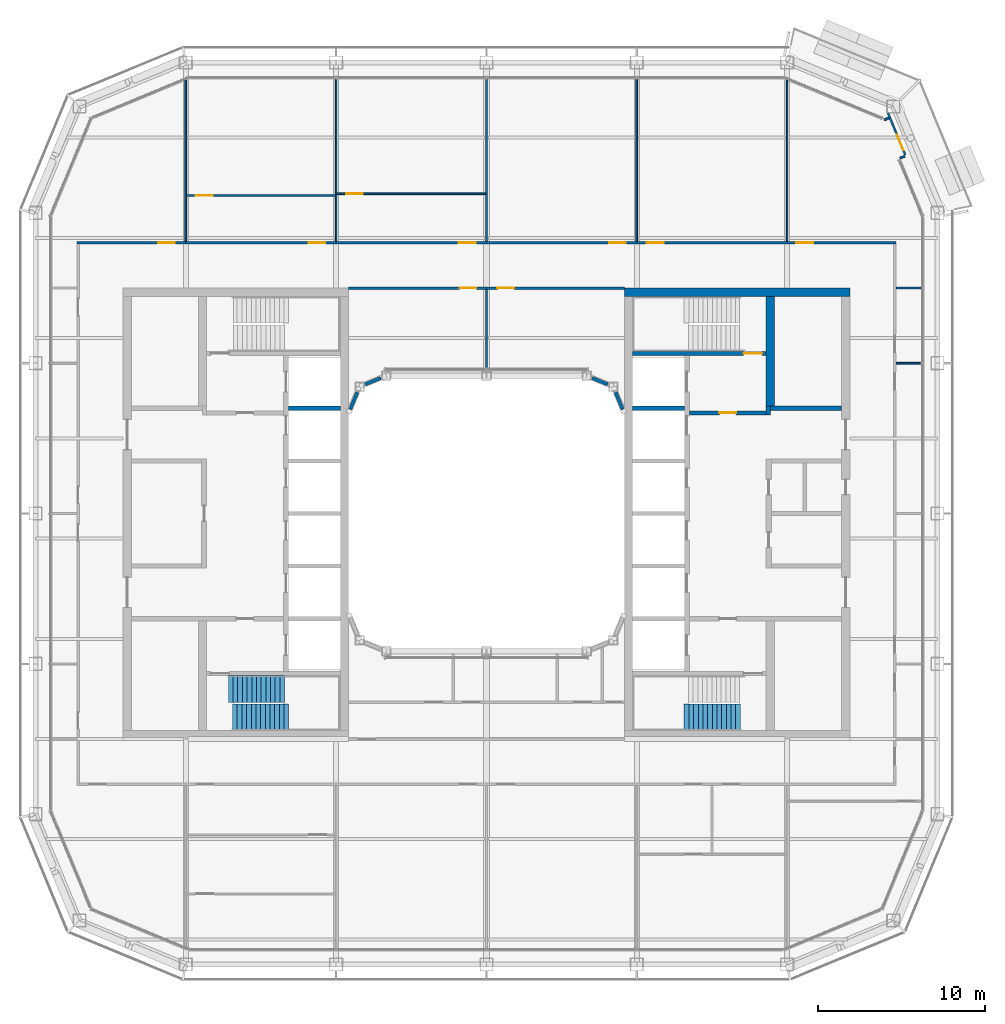
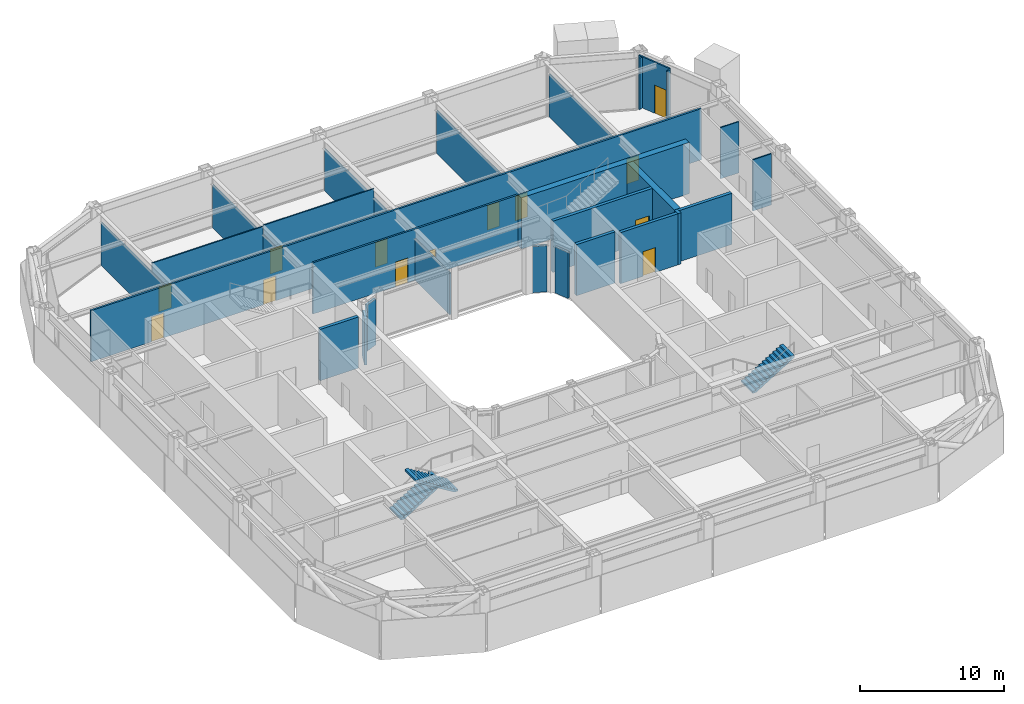
# One storey, part 15 of 23: 27 walls, 13 doors, 3 stair flights, 13 openings, 2 elements without a shape of their own.
"""IFC4 building model written with IfcOpenShell, lengths in metres."""

import ifcopenshell
import ifcopenshell.guid

model = None  # the IFC model being written
_history = None  # IfcOwnerHistory: only IFC2X3 demands one
_inside = {}  # id of a spatial element -> (the spatial element, [elements in it])
_under = {}  # id of a project, library or spatial element -> (it, [spatial elements below it])
_declared = {}  # id of a project -> (the project, [libraries it declares])
_typed = {}  # id of a type object -> (the type object, [elements of that type])
_made_of = {}  # id of a material, layer set ... -> (it, [elements and type objects made of it])


def new_model(schema):
    """Start an empty IFC model of exactly this schema.

    Asked for "IFC4X3", IfcOpenShell would pick the latest addendum, in which some entities
    have other attributes; the version numbers below select the first issue.
    IFC2X3 requires an IfcOwnerHistory on every rooted entity: one is made here for all.
    """
    global model, _history
    if schema == "IFC4X3":
        model = ifcopenshell.file(schema_version=(4, 3, 0, 0))
    else:
        model = ifcopenshell.file(schema=schema)
    _inside.clear()
    _under.clear()
    _declared.clear()
    _typed.clear()
    _made_of.clear()
    _history = None
    if model.schema == "IFC2X3":
        org = make("IfcOrganization", Name="unknown")
        user = make(
            "IfcPersonAndOrganization",
            ThePerson=make("IfcPerson", FamilyName="unknown"),
            TheOrganization=org,
        )
        app = make(
            "IfcApplication",
            ApplicationDeveloper=org,
            Version="unknown",
            ApplicationFullName="unknown",
            ApplicationIdentifier="unknown",
        )
        _history = make(
            "IfcOwnerHistory",
            OwningUser=user,
            OwningApplication=app,
            ChangeAction="ADDED",
            CreationDate=0,
        )
    return model


def make(cls, **values):
    """One entity of the class cls with the attributes given. An attribute that is None is left unset."""
    return model.create_entity(
        cls, **{name: value for name, value in values.items() if value is not None}
    )


def rooted(cls, **values):
    """An entity with a GlobalId (a new one), such as an element, a storey or a relation."""
    return make(cls, GlobalId=ifcopenshell.guid.new(), OwnerHistory=_history, **values)


def si_unit(unit_type, name, prefix=None):
    """IfcSIUnit, for example si_unit("LENGTHUNIT", "METRE", prefix="MILLI")."""
    return make("IfcSIUnit", UnitType=unit_type, Prefix=prefix, Name=name)


def assignment(units):
    """IfcUnitAssignment: the units of a project."""
    return None if units is None else make("IfcUnitAssignment", Units=units)


def point(xyz):
    """IfcCartesianPoint."""
    return None if xyz is None else make("IfcCartesianPoint", Coordinates=xyz)


def direction(xyz):
    """IfcDirection."""
    return None if xyz is None else make("IfcDirection", DirectionRatios=xyz)


def frame(location, z_axis=None, x_axis=None):
    """IfcAxis2Placement3D, a coordinate frame: its origin and axes. An axis left out is left unset."""
    return make(
        "IfcAxis2Placement3D",
        Location=point(location),
        Axis=direction(z_axis),
        RefDirection=direction(x_axis),
    )


def frame_2d(location, x_axis=None):
    """IfcAxis2Placement2D, a coordinate frame in the plane: its origin and x axis."""
    return make(
        "IfcAxis2Placement2D", Location=point(location), RefDirection=direction(x_axis)
    )


def origin():
    """The frame at (0, 0, 0) with its axes left unset."""
    return frame((0.0, 0.0, 0.0))


def place(relative_to, where):
    """IfcLocalPlacement: puts the frame where relative to a parent placement (None: the world)."""
    return make(
        "IfcLocalPlacement", PlacementRelTo=relative_to, RelativePlacement=where
    )


def context(
    kind, dimensions, precision=None, world=None, true_north=None, identifier=None
):
    """IfcGeometricRepresentationContext, for example the 3D "Model" context."""
    return make(
        "IfcGeometricRepresentationContext",
        ContextIdentifier=identifier,
        ContextType=kind,
        CoordinateSpaceDimension=dimensions,
        Precision=precision,
        WorldCoordinateSystem=world,
        TrueNorth=true_north,
    )


def subcontext(parent, identifier, kind, view, scale=None):
    """IfcGeometricRepresentationSubContext, for example "Body" below "Model"."""
    return make(
        "IfcGeometricRepresentationSubContext",
        ContextIdentifier=identifier,
        ContextType=kind,
        ParentContext=parent,
        TargetScale=scale,
        TargetView=view,
    )


def project(units=None, contexts=None):
    """IfcProject with its units and contexts."""
    return rooted(
        "IfcProject",
        Name="project",
        RepresentationContexts=contexts,
        UnitsInContext=assignment(units),
    )


def spatial(cls, under=None, at=None, **own):
    """A site, building, storey or space (cls), placed at a placement, below another one or the project."""
    s = rooted(cls, ObjectPlacement=at, **own)
    if under is not None:
        _under.setdefault(under.id(), (under, []))[1].append(s)
    return s


def polyline(points):
    """IfcPolyline through the points."""
    return make("IfcPolyline", Points=[point(p) for p in points])


def profile(cls, at=None, kind="AREA", **sizes):
    """A parametric profile (cls). Its sizes go by their IFC names, for example OverallWidth=200.0."""
    return make(cls, ProfileType=kind, Position=at, **sizes)


def rectangle(**sizes):
    """IfcRectangleProfileDef."""
    return profile("IfcRectangleProfileDef", **sizes)


def outline(outer, holes=None, kind="AREA"):
    """IfcArbitraryClosedProfileDef: a profile drawn as a closed curve; with holes, ...WithVoids."""
    if holes is None:
        return make("IfcArbitraryClosedProfileDef", ProfileType=kind, OuterCurve=outer)
    return make(
        "IfcArbitraryProfileDefWithVoids",
        ProfileType=kind,
        OuterCurve=outer,
        InnerCurves=holes,
    )


def extrude(swept, where, along, depth):
    """IfcExtrudedAreaSolid: the profile swept, set in the frame where, extruded along a direction by depth."""
    return make(
        "IfcExtrudedAreaSolid",
        SweptArea=swept,
        Position=where,
        ExtrudedDirection=direction(along),
        Depth=depth,
    )


def shape(context_of_items, identifier, shape_type, items):
    """IfcShapeRepresentation: the items that make up one representation, for example the "Body"."""
    return make(
        "IfcShapeRepresentation",
        ContextOfItems=context_of_items,
        RepresentationIdentifier=identifier,
        RepresentationType=shape_type,
        Items=items,
    )


def material(Name=None, Category=None):
    """IfcMaterial."""
    return make("IfcMaterial", Name=Name, Category=Category)


def layer(
    of_material, thickness, ventilated=None, Name=None, Category=None, Priority=None
):
    """IfcMaterialLayer: one layer of a wall or slab, of a material (None: an air gap)."""
    return make(
        "IfcMaterialLayer",
        Material=of_material,
        LayerThickness=thickness,
        IsVentilated=ventilated,
        Name=Name,
        Category=Category,
        Priority=Priority,
    )


def layer_set(layers, Name=None):
    """IfcMaterialLayerSet."""
    return make("IfcMaterialLayerSet", MaterialLayers=layers, LayerSetName=Name)


def made_of(thing, what):
    """Note that an element or type object is made of a material, layer set ...; save() writes the relation."""
    if what is not None:
        _made_of.setdefault(what.id(), (what, []))[1].append(thing)
    return thing


def type_object(cls, material=None, **own):
    """A type object (cls), such as IfcWallType, which elements share."""
    return made_of(rooted(cls, **own), material)


def element(
    cls,
    number,
    at=None,
    inside=None,
    cuts=None,
    type_object=None,
    material=None,
    context=None,
    identifier="Body",
    shape_type=None,
    held_by="IfcProductDefinitionShape",
    body=None,
    shapes=None,
    **own,
):
    """One element of the class cls, such as IfcWall. Its Tag is "e" and its number.

    at: its placement. inside: the storey or other place that contains it. cuts: it is an
    opening in that element (IfcRelVoidsElement). A single representation is given by context,
    identifier, shape_type and body (its items); several are given by shapes. held_by: the class
    of the entity that holds the representations. save() writes the other relations.
    """
    e = rooted(cls, Tag="e%d" % number, ObjectPlacement=at, **own)
    if body is not None:
        shapes = [shape(context, identifier, shape_type, body)]
    if shapes is not None:
        e.Representation = make(held_by, Representations=shapes)
    if inside is not None:
        _inside.setdefault(inside.id(), (inside, []))[1].append(e)
    if cuts is not None:
        rooted(
            "IfcRelVoidsElement", RelatingBuildingElement=cuts, RelatedOpeningElement=e
        )
    if type_object is not None:
        _typed.setdefault(type_object.id(), (type_object, []))[1].append(e)
    return made_of(e, material)


def fill(opening, filler):
    """IfcRelFillsElement: the door or window that sits in an opening."""
    return rooted(
        "IfcRelFillsElement",
        RelatingOpeningElement=opening,
        RelatedBuildingElement=filler,
    )


def aggregate(whole, parts):
    """IfcRelAggregates: a whole, such as a stair, and the parts it consists of."""
    return rooted("IfcRelAggregates", RelatingObject=whole, RelatedObjects=parts)


def save(model, path):
    """Write the relations noted so far, then the file.

    IfcRelAggregates (storeys below a building ...), IfcRelContainedInSpatialStructure (elements
    in a storey), IfcRelDefinesByType, IfcRelAssociatesMaterial and IfcRelDeclares: one each for
    every whole, place, type object, material and project.
    """
    for whole, parts in _under.values():
        aggregate(whole, parts)
    for where, things in _inside.values():
        rooted(
            "IfcRelContainedInSpatialStructure",
            RelatedElements=things,
            RelatingStructure=where,
        )
    for kind, things in _typed.values():
        rooted("IfcRelDefinesByType", RelatedObjects=things, RelatingType=kind)
    for what, things in _made_of.values():
        rooted("IfcRelAssociatesMaterial", RelatedObjects=things, RelatingMaterial=what)
    for by, libraries in _declared.values():
        rooted("IfcRelDeclares", RelatingContext=by, RelatedDefinitions=libraries)
    model.write(path)


model = new_model("IFC4")

# Units and contexts
model_context = context("Model", 3, precision=1e-05, world=origin(), true_north=direction((0.0, 1.0)))
body_context = subcontext(model_context, "Body", "Model", "MODEL_VIEW")
ifc_project = project(units=[si_unit("LENGTHUNIT", "METRE"), si_unit("AREAUNIT", "SQUARE_METRE"), si_unit("VOLUMEUNIT", "CUBIC_METRE"), si_unit("PLANEANGLEUNIT", "RADIAN"), si_unit("MASSUNIT", "GRAM", prefix="KILO")], contexts=[model_context])

# Site, building, storey
site_placement = place(None, origin())
site = spatial("IfcSite", under=ifc_project, at=site_placement, CompositionType="ELEMENT")
building_placement = place(site_placement, origin())
building = spatial("IfcBuilding", under=site, at=building_placement, Name="Siwar Civic Tower", CompositionType="ELEMENT")
storey_placement = place(building_placement, frame((0.0, 0.0, 260.199951171875)))
storey = spatial("IfcBuildingStorey", under=building, at=storey_placement, Name="L56", CompositionType="ELEMENT", Elevation=260.199951171875)

# Wall
ifc_material_1 = material(Name="Concrete C60/75", Category="concrete")
ifc_layer_1 = layer(ifc_material_1, 0.25)
ifc_layer_set_1 = layer_set([ifc_layer_1], Name="Concrete C60/75")
wall_type_1 = type_object("IfcWallType", Name="CORE-WALL-RC250", PredefinedType="SHEAR", material=ifc_layer_set_1)
wall_1_placement = place(storey_placement, frame((-8.75, 6.300048828125, 0.0), z_axis=(0.0, 0.0, 1.0), x_axis=(-1.0, 0.0, 0.0)))
element("IfcWall", 1, at=wall_1_placement, inside=storey, type_object=wall_type_1, Name="Core wall W", PredefinedType="SHEAR", context=body_context, shape_type="SweptSolid", body=[
    extrude(rectangle(XDim=3.10009765625, YDim=0.25, at=frame_2d((1.550048828125, 0.0))), origin(), (0.0, 0.0, 1.0), 4.35009765625),
])

# Wall, opening, door
wall_2_placement = place(storey_placement, frame((12.14990234375, 6.02490234375, 0.0), z_axis=(0.0, 0.0, 1.0), x_axis=(1.0, 0.0, 0.0)))
wall_2 = element("IfcWall", 2, at=wall_2_placement, inside=storey, type_object=wall_type_1, Name="Core wall E", PredefinedType="SHEAR", context=body_context, shape_type="SweptSolid", body=[
    extrude(rectangle(XDim=4.60009765625, YDim=0.25, at=frame_2d((2.300048828125, 0.0))), origin(), (0.0, 0.0, 1.0), 4.35009765625),
])
opening_1_placement = place(wall_2_placement, frame((1.800048828125, 0.0, 0.0)))
opening_1 = element("IfcOpeningElement", 3, at=opening_1_placement, cuts=wall_2, Name="Opening L56-CE01", PredefinedType="OPENING", context=body_context, shape_type="SweptSolid", body=[
    extrude(rectangle(XDim=1.0, YDim=2.10009765625, at=frame_2d((0.5, 1.050048828125))), frame((0.0, 0.135009765625, 0.0), z_axis=(0.0, -1.0, 0.0), x_axis=(1.0, 0.0, 0.0)), (0.0, 0.0, 1.0), 0.27001953125),
])
ifc_material_2 = material(Name="Steel door leaf", Category="steel")
door_type_1 = type_object("IfcDoorType", Name="CORE-DOOR-FD30S", OperationType="SINGLE_SWING_LEFT", PredefinedType="DOOR", material=ifc_material_2)
door_1_placement = place(opening_1_placement, origin())
door_1 = element("IfcDoor", 4, at=door_1_placement, inside=storey, type_object=door_type_1, Name="Firefighting lobby door L56-CE01", OperationType="SINGLE_SWING_RIGHT", OverallHeight=2.10009765625, OverallWidth=1.0, PredefinedType="DOOR", context=body_context, shape_type="SweptSolid", body=[
    extrude(rectangle(XDim=1.0, YDim=2.10009765625, at=frame_2d((0.5, 1.050048828125))), frame((0.0, 0.02490234375, 0.0), z_axis=(0.0, -1.0, 0.0), x_axis=(1.0, 0.0, 0.0)), (0.0, 0.0, 1.0), 0.050048828125),
])
fill(opening_1, door_1)

# Walls
wall_3_placement = place(storey_placement, frame((16.875, 5.89990234375, 0.0), z_axis=(0.0, 0.0, 1.0), x_axis=(0.0, 1.0, 0.0)))
element("IfcWall", 5, at=wall_3_placement, inside=storey, type_object=wall_type_1, Name="Core wall E", PredefinedType="SHEAR", context=body_context, shape_type="SweptSolid", body=[
    extrude(rectangle(XDim=0.525146484375, YDim=0.25, at=frame_2d((0.2626953125, 0.0))), origin(), (0.0, 0.0, 1.0), 4.35009765625),
])
wall_4_placement = place(storey_placement, frame((17.0, 6.300048828125, 0.0), z_axis=(0.0, 0.0, 1.0), x_axis=(1.0, 0.0, 0.0)))
element("IfcWall", 6, at=wall_4_placement, inside=storey, type_object=wall_type_1, Name="Core wall E", PredefinedType="SHEAR", context=body_context, shape_type="SweptSolid", body=[
    extrude(rectangle(XDim=4.25, YDim=0.25, at=frame_2d((2.125, 0.0))), origin(), (0.0, 0.0, 1.0), 4.35009765625),
])
wall_5_placement = place(storey_placement, frame((8.75, 6.300048828125, 0.0), z_axis=(0.0, 0.0, 1.0), x_axis=(1.0, 0.0, 0.0)))
element("IfcWall", 7, at=wall_5_placement, inside=storey, type_object=wall_type_1, Name="Core wall E", PredefinedType="SHEAR", context=body_context, shape_type="SweptSolid", body=[
    extrude(rectangle(XDim=3.10009765625, YDim=0.25, at=frame_2d((1.550048828125, 0.0))), origin(), (0.0, 0.0, 1.0), 4.35009765625),
])

# Wall, opening, door
wall_6_placement = place(storey_placement, frame((8.75, 9.574951171875, 0.0), z_axis=(0.0, 0.0, 1.0), x_axis=(1.0, 0.0, 0.0)))
wall_6 = element("IfcWall", 8, at=wall_6_placement, inside=storey, type_object=wall_type_1, Name="Core wall E", PredefinedType="SHEAR", context=body_context, shape_type="SweptSolid", body=[
    extrude(rectangle(XDim=8.0, YDim=0.25, at=frame_2d((4.0, 0.0))), origin(), (0.0, 0.0, 1.0), 4.35009765625),
])
opening_2_placement = place(wall_6_placement, frame((6.64990234375, 0.0, 0.0)))
opening_2 = element("IfcOpeningElement", 9, at=opening_2_placement, cuts=wall_6, Name="Opening L56-CE03", PredefinedType="OPENING", context=body_context, shape_type="SweptSolid", body=[
    extrude(rectangle(XDim=1.10009765625, YDim=2.10009765625, at=frame_2d((0.550048828125, 1.050048828125))), frame((0.0, 0.135009765625, 0.0), z_axis=(0.0, -1.0, 0.0), x_axis=(1.0, 0.0, 0.0)), (0.0, 0.0, 1.0), 0.27001953125),
])
ifc_material_3 = material(Name="Steel door leaf", Category="steel")
door_type_2 = type_object("IfcDoorType", Name="CORE-DOOR-FD60S", OperationType="SINGLE_SWING_LEFT", PredefinedType="DOOR", material=ifc_material_3)
door_2_placement = place(opening_2_placement, origin())
door_2 = element("IfcDoor", 10, at=door_2_placement, inside=storey, type_object=door_type_2, Name="Stair door L56-CE03", OperationType="SINGLE_SWING_LEFT", OverallHeight=2.10009765625, OverallWidth=1.10009765625, PredefinedType="DOOR", context=body_context, shape_type="SweptSolid", body=[
    extrude(rectangle(XDim=1.10009765625, YDim=2.10009765625, at=frame_2d((0.550048828125, 1.050048828125))), frame((0.0, 0.02490234375, 0.0), z_axis=(0.0, -1.0, 0.0), x_axis=(1.0, 0.0, 0.0)), (0.0, 0.0, 1.0), 0.050048828125),
])
fill(opening_2, door_2)

# Walls
ifc_material_4 = material(Name="Concrete C60/75", Category="concrete")
ifc_layer_2 = layer(ifc_material_4, 0.5)
ifc_layer_set_2 = layer_set([ifc_layer_2], Name="Concrete C60/75")
wall_type_2 = type_object("IfcWallType", Name="CORE-WALL-RC500", PredefinedType="SHEAR", material=ifc_layer_set_2)
wall_7_placement = place(storey_placement, frame((17.0, 6.425048828125, 0.0), z_axis=(0.0, 0.0, 1.0), x_axis=(0.0, 1.0, 0.0)))
element("IfcWall", 11, at=wall_7_placement, inside=storey, type_object=wall_type_2, Name="Core wall E", PredefinedType="SHEAR", context=body_context, shape_type="SweptSolid", body=[
    extrude(rectangle(XDim=6.574951171875, YDim=0.5, at=frame_2d((3.28759765625, 0.0))), origin(), (0.0, 0.0, 1.0), 4.35009765625),
])
wall_8_placement = place(storey_placement, frame((8.25, 13.25, 0.0), z_axis=(0.0, 0.0, 1.0), x_axis=(1.0, 0.0, 0.0)))
element("IfcWall", 12, at=wall_8_placement, inside=storey, type_object=wall_type_2, Name="Core wall E", PredefinedType="SHEAR", context=body_context, shape_type="SweptSolid", body=[
    extrude(rectangle(XDim=13.5, YDim=0.5, at=frame_2d((6.75, 0.0))), origin(), (0.0, 0.0, 1.0), 4.35009765625),
])

# Wall, openings, doors
ifc_material_5 = material(Name="Gypsum board on steel studs", Category="steel")
ifc_layer_3 = layer(ifc_material_5, 0.14990234375)
ifc_layer_set_3 = layer_set([ifc_layer_3], Name="Gypsum board on steel studs")
wall_type_3 = type_object("IfcWallType", Name="CORRIDOR PARTITION 150 EI 30", PredefinedType="PARTITIONING", material=ifc_layer_set_3)
wall_9_placement = place(storey_placement, frame((-8.25, 13.5, 0.0), z_axis=(0.0, 0.0, 1.0), x_axis=(1.0, 0.0, 0.0)))
wall_9 = element("IfcWall", 13, at=wall_9_placement, inside=storey, type_object=wall_type_3, Name="L56/wall/P19", PredefinedType="PARTITIONING", context=body_context, shape_type="SweptSolid", body=[
    extrude(rectangle(XDim=16.5, YDim=0.14990234375, at=frame_2d((8.25, 0.0))), origin(), (0.0, 0.0, 1.0), 4.35009765625),
])
opening_3_placement = place(wall_9_placement, frame((6.64990234375, 0.0, 0.0)))
opening_3 = element("IfcOpeningElement", 14, at=opening_3_placement, cuts=wall_9, Name="Opening D1", PredefinedType="OPENING", context=body_context, shape_type="SweptSolid", body=[
    extrude(rectangle(XDim=1.0, YDim=2.10009765625, at=frame_2d((0.5, 1.050048828125))), frame((0.0, 0.0849609375, 0.0), z_axis=(0.0, -1.0, 0.0), x_axis=(1.0, 0.0, 0.0)), (0.0, 0.0, 1.0), 0.169921875),
])
opening_4_placement = place(wall_9_placement, frame((8.89990234375, 0.0, 0.0)))
opening_4 = element("IfcOpeningElement", 15, at=opening_4_placement, cuts=wall_9, Name="Opening D1", PredefinedType="OPENING", context=body_context, shape_type="SweptSolid", body=[
    extrude(rectangle(XDim=1.0, YDim=2.10009765625, at=frame_2d((0.5, 1.050048828125))), frame((0.0, 0.0849609375, 0.0), z_axis=(0.0, -1.0, 0.0), x_axis=(1.0, 0.0, 0.0)), (0.0, 0.0, 1.0), 0.169921875),
])
ifc_material_6 = material(Name="Timber, painted", Category="wood")
door_type_3 = type_object("IfcDoorType", Name="DOOR 1000 X 2100 FD30", OperationType="SINGLE_SWING_LEFT", PredefinedType="DOOR", material=ifc_material_6)
door_3_placement = place(opening_3_placement, origin())
door_3 = element("IfcDoor", 16, at=door_3_placement, inside=storey, type_object=door_type_3, Name="L56-D28", OperationType="SINGLE_SWING_RIGHT", OverallHeight=2.10009765625, OverallWidth=1.0, PredefinedType="DOOR", context=body_context, shape_type="SweptSolid", body=[
    extrude(rectangle(XDim=1.0, YDim=2.10009765625, at=frame_2d((0.5, 1.050048828125))), frame((0.0, 0.02490234375, 0.0), z_axis=(0.0, -1.0, 0.0), x_axis=(1.0, 0.0, 0.0)), (0.0, 0.0, 1.0), 0.050048828125),
])
fill(opening_3, door_3)
door_4_placement = place(opening_4_placement, origin())
door_4 = element("IfcDoor", 17, at=door_4_placement, inside=storey, type_object=door_type_3, Name="L56-D29", OperationType="SINGLE_SWING_LEFT", OverallHeight=2.10009765625, OverallWidth=1.0, PredefinedType="DOOR", context=body_context, shape_type="SweptSolid", body=[
    extrude(rectangle(XDim=1.0, YDim=2.10009765625, at=frame_2d((0.5, 1.050048828125))), frame((0.0, 0.02490234375, 0.0), z_axis=(0.0, -1.0, 0.0), x_axis=(1.0, 0.0, 0.0)), (0.0, 0.0, 1.0), 0.050048828125),
])
fill(opening_4, door_4)

wall_10_placement = place(storey_placement, frame((-24.52490234375, 16.199951171875, 0.0), z_axis=(0.0, 0.0, 1.0), x_axis=(1.0, 0.0, 0.0)))
wall_10 = element("IfcWall", 18, at=wall_10_placement, inside=storey, type_object=wall_type_3, Name="L56/wall/P20", PredefinedType="PARTITIONING", context=body_context, shape_type="SweptSolid", body=[
    extrude(rectangle(XDim=49.0498046875, YDim=0.14990234375, at=frame_2d((24.52490234375, 0.0))), origin(), (0.0, 0.0, 1.0), 4.35009765625),
])
opening_5_placement = place(wall_10_placement, frame((13.875, 0.0, 0.0)))
opening_5 = element("IfcOpeningElement", 19, at=opening_5_placement, cuts=wall_10, Name="Opening D1", PredefinedType="OPENING", context=body_context, shape_type="SweptSolid", body=[
    extrude(rectangle(XDim=1.0, YDim=2.10009765625, at=frame_2d((0.5, 1.050048828125))), frame((0.0, 0.0849609375, 0.0), z_axis=(0.0, -1.0, 0.0), x_axis=(1.0, 0.0, 0.0)), (0.0, 0.0, 1.0), 0.169921875),
])
opening_6_placement = place(wall_10_placement, frame((22.875, 0.0, 0.0)))
opening_6 = element("IfcOpeningElement", 20, at=opening_6_placement, cuts=wall_10, Name="Opening D1", PredefinedType="OPENING", context=body_context, shape_type="SweptSolid", body=[
    extrude(rectangle(XDim=1.0, YDim=2.10009765625, at=frame_2d((0.5, 1.050048828125))), frame((0.0, 0.0849609375, 0.0), z_axis=(0.0, -1.0, 0.0), x_axis=(1.0, 0.0, 0.0)), (0.0, 0.0, 1.0), 0.169921875),
])
opening_7_placement = place(wall_10_placement, frame((31.875, 0.0, 0.0)))
opening_7 = element("IfcOpeningElement", 21, at=opening_7_placement, cuts=wall_10, Name="Opening D1", PredefinedType="OPENING", context=body_context, shape_type="SweptSolid", body=[
    extrude(rectangle(XDim=1.0, YDim=2.10009765625, at=frame_2d((0.5, 1.050048828125))), frame((0.0, 0.0849609375, 0.0), z_axis=(0.0, -1.0, 0.0), x_axis=(1.0, 0.0, 0.0)), (0.0, 0.0, 1.0), 0.169921875),
])
opening_8_placement = place(wall_10_placement, frame((34.125, 0.0, 0.0)))
opening_8 = element("IfcOpeningElement", 22, at=opening_8_placement, cuts=wall_10, Name="Opening D1", PredefinedType="OPENING", context=body_context, shape_type="SweptSolid", body=[
    extrude(rectangle(XDim=1.0, YDim=2.10009765625, at=frame_2d((0.5, 1.050048828125))), frame((0.0, 0.0849609375, 0.0), z_axis=(0.0, -1.0, 0.0), x_axis=(1.0, 0.0, 0.0)), (0.0, 0.0, 1.0), 0.169921875),
])
opening_9_placement = place(wall_10_placement, frame((4.875, 0.0, 0.0)))
opening_9 = element("IfcOpeningElement", 23, at=opening_9_placement, cuts=wall_10, Name="Opening D1", PredefinedType="OPENING", context=body_context, shape_type="SweptSolid", body=[
    extrude(rectangle(XDim=1.0, YDim=2.10009765625, at=frame_2d((0.5, 1.050048828125))), frame((0.0, 0.0849609375, 0.0), z_axis=(0.0, -1.0, 0.0), x_axis=(1.0, 0.0, 0.0)), (0.0, 0.0, 1.0), 0.169921875),
])
opening_10_placement = place(wall_10_placement, frame((43.074951171875, 0.0, 0.0)))
opening_10 = element("IfcOpeningElement", 24, at=opening_10_placement, cuts=wall_10, Name="Opening D1", PredefinedType="OPENING", context=body_context, shape_type="SweptSolid", body=[
    extrude(rectangle(XDim=1.0, YDim=2.10009765625, at=frame_2d((0.5, 1.050048828125))), frame((0.0, 0.0849609375, 0.0), z_axis=(0.0, -1.0, 0.0), x_axis=(1.0, 0.0, 0.0)), (0.0, 0.0, 1.0), 0.169921875),
])
door_5_placement = place(opening_5_placement, origin())
door_5 = element("IfcDoor", 25, at=door_5_placement, inside=storey, type_object=door_type_3, Name="L56-D01", OperationType="SINGLE_SWING_LEFT", OverallHeight=2.10009765625, OverallWidth=1.0, PredefinedType="DOOR", context=body_context, shape_type="SweptSolid", body=[
    extrude(rectangle(XDim=1.0, YDim=2.10009765625, at=frame_2d((0.5, 1.050048828125))), frame((0.0, 0.02490234375, 0.0), z_axis=(0.0, -1.0, 0.0), x_axis=(1.0, 0.0, 0.0)), (0.0, 0.0, 1.0), 0.050048828125),
])
fill(opening_5, door_5)
door_6_placement = place(opening_6_placement, origin())
door_6 = element("IfcDoor", 26, at=door_6_placement, inside=storey, type_object=door_type_3, Name="L56-D03", OperationType="SINGLE_SWING_LEFT", OverallHeight=2.10009765625, OverallWidth=1.0, PredefinedType="DOOR", context=body_context, shape_type="SweptSolid", body=[
    extrude(rectangle(XDim=1.0, YDim=2.10009765625, at=frame_2d((0.5, 1.050048828125))), frame((0.0, 0.02490234375, 0.0), z_axis=(0.0, -1.0, 0.0), x_axis=(1.0, 0.0, 0.0)), (0.0, 0.0, 1.0), 0.050048828125),
])
fill(opening_6, door_6)
door_7_placement = place(opening_7_placement, origin())
door_7 = element("IfcDoor", 27, at=door_7_placement, inside=storey, type_object=door_type_3, Name="L56-D05", OperationType="SINGLE_SWING_LEFT", OverallHeight=2.10009765625, OverallWidth=1.0, PredefinedType="DOOR", context=body_context, shape_type="SweptSolid", body=[
    extrude(rectangle(XDim=1.0, YDim=2.10009765625, at=frame_2d((0.5, 1.050048828125))), frame((0.0, 0.02490234375, 0.0), z_axis=(0.0, -1.0, 0.0), x_axis=(1.0, 0.0, 0.0)), (0.0, 0.0, 1.0), 0.050048828125),
])
fill(opening_7, door_7)
door_8_placement = place(opening_8_placement, origin())
door_8 = element("IfcDoor", 28, at=door_8_placement, inside=storey, type_object=door_type_3, Name="L56-D06", OperationType="SINGLE_SWING_RIGHT", OverallHeight=2.10009765625, OverallWidth=1.0, PredefinedType="DOOR", context=body_context, shape_type="SweptSolid", body=[
    extrude(rectangle(XDim=1.0, YDim=2.10009765625, at=frame_2d((0.5, 1.050048828125))), frame((0.0, 0.02490234375, 0.0), z_axis=(0.0, -1.0, 0.0), x_axis=(1.0, 0.0, 0.0)), (0.0, 0.0, 1.0), 0.050048828125),
])
fill(opening_8, door_8)
door_9_placement = place(opening_9_placement, origin())
door_9 = element("IfcDoor", 29, at=door_9_placement, inside=storey, type_object=door_type_3, Name="L56-D15", OperationType="SINGLE_SWING_LEFT", OverallHeight=2.10009765625, OverallWidth=1.0, PredefinedType="DOOR", context=body_context, shape_type="SweptSolid", body=[
    extrude(rectangle(XDim=1.0, YDim=2.10009765625, at=frame_2d((0.5, 1.050048828125))), frame((0.0, 0.02490234375, 0.0), z_axis=(0.0, -1.0, 0.0), x_axis=(1.0, 0.0, 0.0)), (0.0, 0.0, 1.0), 0.050048828125),
])
fill(opening_9, door_9)
door_10_placement = place(opening_10_placement, origin())
door_10 = element("IfcDoor", 30, at=door_10_placement, inside=storey, type_object=door_type_3, Name="L56-D16", OperationType="SINGLE_SWING_RIGHT", OverallHeight=2.10009765625, OverallWidth=1.0, PredefinedType="DOOR", context=body_context, shape_type="SweptSolid", body=[
    extrude(rectangle(XDim=1.0, YDim=2.10009765625, at=frame_2d((0.5, 1.050048828125))), frame((0.0, 0.02490234375, 0.0), z_axis=(0.0, -1.0, 0.0), x_axis=(1.0, 0.0, 0.0)), (0.0, 0.0, 1.0), 0.050048828125),
])
fill(opening_10, door_10)

# Walls
ifc_material_7 = material(Name="Aluminium clad insulated panel", Category="aluminium")
ifc_layer_4 = layer(ifc_material_7, 0.1201171875)
ifc_layer_set_4 = layer_set([ifc_layer_4], Name="Aluminium clad insulated panel")
wall_type_4 = type_object("IfcWallType", Name="ENV-WALL-BAL", PredefinedType="STANDARD", material=ifc_layer_set_4)
wall_11_placement = place(storey_placement, frame((24.766357421875, 21.27587890625, 0.0), z_axis=(0.0, 0.0, 1.0), x_axis=(0.923917630863, 0.382591441855, 0.0)))
element("IfcWall", 31, at=wall_11_placement, inside=storey, type_object=wall_type_4, Name="Balcony door wall return NE1", PredefinedType="STANDARD", context=body_context, shape_type="SweptSolid", body=[
    extrude(rectangle(XDim=0.2998046875, YDim=0.1201171875, at=frame_2d((0.14990234375, 0.0))), origin(), (0.0, 0.0, 1.0), 4.35009765625),
])
wall_12_placement = place(storey_placement, frame((23.817626953125, 23.56640625, 0.0), z_axis=(0.0, 0.0, 1.0), x_axis=(0.923629715641, 0.383285987724, 0.0)))
element("IfcWall", 32, at=wall_12_placement, inside=storey, type_object=wall_type_4, Name="Balcony door wall return NE1", PredefinedType="STANDARD", context=body_context, shape_type="SweptSolid", body=[
    extrude(rectangle(XDim=0.300048828125, YDim=0.1201171875, at=frame_2d((0.14990234375, 0.0))), origin(), (0.0, 0.0, 1.0), 4.35009765625),
])

# Wall, opening, door
wall_13_placement = place(storey_placement, frame((25.075927734375, 21.468994140625, 0.0), z_axis=(0.0, 0.0, 1.0), x_axis=(-0.382695131424, 0.923874686516, 0.0)))
wall_13 = element("IfcWall", 33, at=wall_13_placement, inside=storey, type_object=wall_type_4, Name="Balcony door wall NE1", PredefinedType="STANDARD", context=body_context, shape_type="SweptSolid", body=[
    extrude(rectangle(XDim=2.700439453125, YDim=0.1201171875, at=frame_2d((1.35009765625, 0.0))), origin(), (0.0, 0.0, 1.0), 4.35009765625),
])
opening_11_placement = place(wall_13_placement, frame((0.300048828125, 0.0, 0.0)))
opening_11 = element("IfcOpeningElement", 34, at=opening_11_placement, cuts=wall_13, Name="Opening D-BAL", PredefinedType="OPENING", context=body_context, shape_type="SweptSolid", body=[
    extrude(rectangle(XDim=1.0, YDim=2.39990234375, at=frame_2d((0.5, 1.199951171875))), frame((0.0, 0.070068359375, 0.0), z_axis=(0.0, -1.0, 0.0), x_axis=(1.0, 0.0, 0.0)), (0.0, 0.0, 1.0), 0.14013671875),
])
ifc_material_8 = material(Name="Aluminium and glass", Category="aluminium")
door_type_4 = type_object("IfcDoorType", Name="ENV-DOOR-BAL", OperationType="SINGLE_SWING_LEFT", PredefinedType="DOOR", material=ifc_material_8)
door_11_placement = place(opening_11_placement, origin())
door_11 = element("IfcDoor", 35, at=door_11_placement, inside=storey, type_object=door_type_4, Name="Balcony door NE", OperationType="SINGLE_SWING_LEFT", OverallHeight=2.39990234375, OverallWidth=1.0, PredefinedType="DOOR", context=body_context, shape_type="SweptSolid", body=[
    extrude(rectangle(XDim=1.0, YDim=2.39990234375, at=frame_2d((0.5, 1.199951171875))), frame((0.0, 0.02490234375, 0.0), z_axis=(0.0, -1.0, 0.0), x_axis=(1.0, 0.0, 0.0)), (0.0, 0.0, 1.0), 0.050048828125),
])
fill(opening_11, door_11)

# Walls
ifc_material_9 = material(Name="Aluminium clad insulated panel", Category="aluminium")
ifc_layer_5 = layer(ifc_material_9, 0.199951171875)
ifc_layer_set_5 = layer_set([ifc_layer_5], Name="Aluminium clad insulated panel")
wall_type_5 = type_object("IfcWallType", Name="ENV-WALL-WELL", PredefinedType="STANDARD", material=ifc_layer_set_5)
wall_14_placement = place(storey_placement, frame((8.154296875, 6.23095703125, 0.0), z_axis=(0.0, 0.0, 1.0), x_axis=(-0.382635994082, 0.923899180665, 0.0)))
element("IfcWall", 36, at=wall_14_placement, inside=storey, type_object=wall_type_5, Name="Light well corner wall NE1", PredefinedType="STANDARD", context=body_context, shape_type="SweptSolid", body=[
    extrude(rectangle(XDim=1.11279296875, YDim=0.199951171875, at=frame_2d((0.556396484375, 0.0))), origin(), (0.0, 0.0, 1.0), 3.91796875),
])
for number, where, z_axis, x_axis, name in (
    (37, (7.259033203125, 7.728515625, 0.0), (0.0, 0.0, 1.0), (-0.923859650767, 0.382731427616, 0.0), "Light well corner wall NE2"),
    (38, (-6.33203125, 8.112548828125, 0.0), (0.0, 0.0, 1.0), (-0.923859650767, -0.382731427616, 0.0), "Light well corner wall NW1"),
):
    element("IfcWall", number, at=place(storey_placement, frame(where, z_axis=z_axis, x_axis=x_axis)), inside=storey, type_object=wall_type_5, Name=name, PredefinedType="STANDARD", context=body_context, shape_type="SweptSolid", body=[
        extrude(rectangle(XDim=1.00341796875, YDim=0.199951171875, at=frame_2d((0.501708984375, 0.0))), origin(), (0.0, 0.0, 1.0), 3.91796875),
    ])
wall_15_placement = place(storey_placement, frame((-7.728515625, 7.259033203125, 0.0), z_axis=(0.0, 0.0, 1.0), x_axis=(-0.382635994082, -0.923899180665, 0.0)))
element("IfcWall", 39, at=wall_15_placement, inside=storey, type_object=wall_type_5, Name="Light well corner wall NW2", PredefinedType="STANDARD", context=body_context, shape_type="SweptSolid", body=[
    extrude(rectangle(XDim=1.11279296875, YDim=0.199951171875, at=frame_2d((0.556396484375, 0.0))), origin(), (0.0, 0.0, 1.0), 3.91796875),
])
ifc_material_10 = material(Name="Gypsum board on steel studs", Category="steel")
ifc_layer_6 = layer(ifc_material_10, 0.10009765625)
ifc_layer_set_6 = layer_set([ifc_layer_6], Name="Gypsum board on steel studs")
wall_type_6 = type_object("IfcWallType", Name="PARTITION 100 GYPSUM", PredefinedType="PARTITIONING", material=ifc_layer_set_6)
for number, where, z_axis, x_axis, name in (
    (40, (24.52490234375, 9.0, 0.0), (0.0, 0.0, 1.0), (1.0, 0.0, 0.0), "L56/wall/P16"),
    (41, (24.52490234375, 13.5, 0.0), (0.0, 0.0, 1.0), (1.0, 0.0, 0.0), "L56/wall/P18"),
):
    element("IfcWall", number, at=place(storey_placement, frame(where, z_axis=z_axis, x_axis=x_axis)), inside=storey, type_object=wall_type_6, Name=name, PredefinedType="PARTITIONING", context=body_context, shape_type="SweptSolid", body=[
        extrude(rectangle(XDim=1.485107421875, YDim=0.10009765625, at=frame_2d((0.74267578125, 0.0))), origin(), (0.0, 0.0, 1.0), 4.35009765625),
    ])

# Wall, opening, door
wall_16_placement = place(storey_placement, frame((-17.949951171875, 19.0400390625, 0.0), z_axis=(0.0, 0.0, 1.0), x_axis=(1.0, 0.0, 0.0)))
wall_16 = element("IfcWall", 42, at=wall_16_placement, inside=storey, type_object=wall_type_6, Name="L56/wall/P21", PredefinedType="PARTITIONING", context=body_context, shape_type="SweptSolid", body=[
    extrude(rectangle(XDim=8.89990234375, YDim=0.10009765625, at=frame_2d((4.449951171875, 0.0))), origin(), (0.0, 0.0, 1.0), 4.35009765625),
])
opening_12_placement = place(wall_16_placement, frame((0.550048828125, 0.0, 0.0)))
opening_12 = element("IfcOpeningElement", 43, at=opening_12_placement, cuts=wall_16, Name="Opening D2", PredefinedType="OPENING", context=body_context, shape_type="SweptSolid", body=[
    extrude(rectangle(XDim=1.0, YDim=2.10009765625, at=frame_2d((0.5, 1.050048828125))), frame((0.0, 0.06005859375, 0.0), z_axis=(0.0, -1.0, 0.0), x_axis=(1.0, 0.0, 0.0)), (0.0, 0.0, 1.0), 0.1201171875),
])
ifc_material_11 = material(Name="Timber, painted", Category="wood")
door_type_5 = type_object("IfcDoorType", Name="DOOR 1000 X 2100", OperationType="SINGLE_SWING_LEFT", PredefinedType="DOOR", material=ifc_material_11)
door_12_placement = place(opening_12_placement, origin())
door_12 = element("IfcDoor", 44, at=door_12_placement, inside=storey, type_object=door_type_5, Name="L56-D02", OperationType="SINGLE_SWING_RIGHT", OverallHeight=2.10009765625, OverallWidth=1.0, PredefinedType="DOOR", context=body_context, shape_type="SweptSolid", body=[
    extrude(rectangle(XDim=1.0, YDim=2.10009765625, at=frame_2d((0.5, 1.050048828125))), frame((0.0, 0.02490234375, 0.0), z_axis=(0.0, -1.0, 0.0), x_axis=(1.0, 0.0, 0.0)), (0.0, 0.0, 1.0), 0.050048828125),
])
fill(opening_12, door_12)

wall_17_placement = place(storey_placement, frame((-8.949951171875, 19.14306640625, 0.0), z_axis=(0.0, 0.0, 1.0), x_axis=(1.0, 0.0, 0.0)))
wall_17 = element("IfcWall", 45, at=wall_17_placement, inside=storey, type_object=wall_type_6, Name="L56/wall/P22", PredefinedType="PARTITIONING", context=body_context, shape_type="SweptSolid", body=[
    extrude(rectangle(XDim=8.89990234375, YDim=0.10009765625, at=frame_2d((4.449951171875, 0.0))), origin(), (0.0, 0.0, 1.0), 4.35009765625),
])
opening_13_placement = place(wall_17_placement, frame((0.550048828125, 0.0, 0.0)))
opening_13 = element("IfcOpeningElement", 46, at=opening_13_placement, cuts=wall_17, Name="Opening D2", PredefinedType="OPENING", context=body_context, shape_type="SweptSolid", body=[
    extrude(rectangle(XDim=1.0, YDim=2.10009765625, at=frame_2d((0.5, 1.050048828125))), frame((0.0, 0.06005859375, 0.0), z_axis=(0.0, -1.0, 0.0), x_axis=(1.0, 0.0, 0.0)), (0.0, 0.0, 1.0), 0.1201171875),
])
door_13_placement = place(opening_13_placement, origin())
door_13 = element("IfcDoor", 47, at=door_13_placement, inside=storey, type_object=door_type_5, Name="L56-D04", OperationType="SINGLE_SWING_RIGHT", OverallHeight=2.10009765625, OverallWidth=1.0, PredefinedType="DOOR", context=body_context, shape_type="SweptSolid", body=[
    extrude(rectangle(XDim=1.0, YDim=2.10009765625, at=frame_2d((0.5, 1.050048828125))), frame((0.0, 0.02490234375, 0.0), z_axis=(0.0, -1.0, 0.0), x_axis=(1.0, 0.0, 0.0)), (0.0, 0.0, 1.0), 0.050048828125),
])
fill(opening_13, door_13)

# Walls
wall_18_placement = place(storey_placement, frame((-18.0, 16.27490234375, 0.0), z_axis=(0.0, 0.0, 1.0), x_axis=(0.0, 1.0, 0.0)))
element("IfcWall", 48, at=wall_18_placement, inside=storey, type_object=wall_type_6, Name="L56/wall/P25", PredefinedType="PARTITIONING", context=body_context, shape_type="SweptSolid", body=[
    extrude(rectangle(XDim=9.653076171875, YDim=0.10009765625, at=frame_2d((4.82666015625, 0.0))), origin(), (0.0, 0.0, 1.0), 3.650146484375),
])
wall_19_placement = place(storey_placement, frame((-9.0, 16.27490234375, 0.0), z_axis=(0.0, 0.0, 1.0), x_axis=(0.0, 1.0, 0.0)))
element("IfcWall", 49, at=wall_19_placement, inside=storey, type_object=wall_type_6, Name="L56/wall/P27", PredefinedType="PARTITIONING", context=body_context, shape_type="SweptSolid", body=[
    extrude(rectangle(XDim=9.735107421875, YDim=0.10009765625, at=frame_2d((4.86767578125, 0.0))), origin(), (0.0, 0.0, 1.0), 3.650146484375),
])
wall_20_placement = place(storey_placement, frame((0.0, 8.60009765625, 0.0), z_axis=(0.0, 0.0, 1.0), x_axis=(0.0, 1.0, 0.0)))
element("IfcWall", 50, at=wall_20_placement, inside=storey, type_object=wall_type_6, Name="L56/wall/P30", PredefinedType="PARTITIONING", context=body_context, shape_type="SweptSolid", body=[
    extrude(rectangle(XDim=4.824951171875, YDim=0.10009765625, at=frame_2d((2.41259765625, 0.0))), origin(), (0.0, 0.0, 1.0), 3.550048828125),
])
wall_21_placement = place(storey_placement, frame((0.0, 16.27490234375, 0.0), z_axis=(0.0, 0.0, 1.0), x_axis=(0.0, 1.0, 0.0)))
element("IfcWall", 51, at=wall_21_placement, inside=storey, type_object=wall_type_6, Name="L56/wall/P31", PredefinedType="PARTITIONING", context=body_context, shape_type="SweptSolid", body=[
    extrude(rectangle(XDim=9.735107421875, YDim=0.10009765625, at=frame_2d((4.86767578125, 0.0))), origin(), (0.0, 0.0, 1.0), 3.550048828125),
])
wall_22_placement = place(storey_placement, frame((9.0, 16.27490234375, 0.0), z_axis=(0.0, 0.0, 1.0), x_axis=(0.0, 1.0, 0.0)))
element("IfcWall", 52, at=wall_22_placement, inside=storey, type_object=wall_type_6, Name="L56/wall/P35", PredefinedType="PARTITIONING", context=body_context, shape_type="SweptSolid", body=[
    extrude(rectangle(XDim=9.735107421875, YDim=0.10009765625, at=frame_2d((4.86767578125, 0.0))), origin(), (0.0, 0.0, 1.0), 3.650146484375),
])
wall_23_placement = place(storey_placement, frame((18.0, 16.27490234375, 0.0), z_axis=(0.0, 0.0, 1.0), x_axis=(0.0, 1.0, 0.0)))
element("IfcWall", 53, at=wall_23_placement, inside=storey, type_object=wall_type_6, Name="L56/wall/P38", PredefinedType="PARTITIONING", context=body_context, shape_type="SweptSolid", body=[
    extrude(rectangle(XDim=9.653076171875, YDim=0.10009765625, at=frame_2d((4.82666015625, 0.0))), origin(), (0.0, 0.0, 1.0), 3.650146484375),
])

# Stair, stair flights
ifc_material_12 = material(Name="Concrete C40/50", Category="concrete")
stair_type = type_object("IfcStairType", Name="CORE-STAIR", PredefinedType="TWO_STRAIGHT_RUN_STAIR", material=ifc_material_12)
stair_1_placement = place(storey_placement, origin())
stair_1 = element("IfcStair", 54, at=stair_1_placement, inside=storey, type_object=stair_type, Name="Exit stair ST2", PredefinedType="TWO_STRAIGHT_RUN_STAIR")
ifc_material_13 = material(Name="Concrete C40/50", Category="concrete")
stair_flight_type = type_object("IfcStairFlightType", Name="CORE-STAIR-FLIGHT", PredefinedType="STRAIGHT", material=ifc_material_13)
stair_flight_1_placement = place(storey_placement, frame((-15.449951171875, -10.5, 0.0), z_axis=(0.0, 0.0, 1.0), x_axis=(1.0, 0.0, 0.0)))
stair_flight_1 = element("IfcStairFlight", 55, at=stair_flight_1_placement, type_object=stair_flight_type, Name="ST2 flight 1", NumberOfRisers=13, NumberOfTreads=12, PredefinedType="STRAIGHT", RiserHeight=0.173076923, TreadLength=0.28, context=body_context, shape_type="SweptSolid", body=[
    extrude(outline(polyline([(0.0, 0.0), (0.0, 0.173095703125), (0.280029296875, 0.173095703125), (0.280029296875, 0.34619140625), (0.56005859375, 0.34619140625), (0.56005859375, 0.519287109375), (0.840087890625, 0.519287109375), (0.840087890625, 0.6923828125), (1.1201171875, 0.6923828125), (1.1201171875, 0.865478515625), (1.39990234375, 0.865478515625), (1.39990234375, 1.03857421875), (1.679931640625, 1.03857421875), (1.679931640625, 1.21142578125), (1.9599609375, 1.21142578125), (1.9599609375, 1.384521484375), (2.239990234375, 1.384521484375), (2.239990234375, 1.5576171875), (2.52001953125, 1.5576171875), (2.52001953125, 1.730712890625), (2.800048828125, 1.730712890625), (2.800048828125, 1.90380859375), (3.080078125, 1.90380859375), (3.080078125, 2.076904296875), (3.360107421875, 2.076904296875), (3.360107421875, 2.25), (3.360107421875, 1.900634765625), (0.28515625, 0.0), (0.0, 0.0)])), frame((0.0, 0.800048828125, 0.0), z_axis=(0.0, -1.0, 0.0), x_axis=(1.0, 0.0, 0.0)), (0.0, 0.0, 1.0), 1.60009765625),
])
stair_flight_2_placement = place(storey_placement, frame((-11.840087890625, -12.199951171875, 2.25), z_axis=(0.0, 0.0, 1.0), x_axis=(-1.0, 0.0, 0.0)))
stair_flight_2 = element("IfcStairFlight", 56, at=stair_flight_2_placement, type_object=stair_flight_type, Name="ST2 flight 2", NumberOfRisers=13, NumberOfTreads=12, PredefinedType="STRAIGHT", RiserHeight=0.173076923, TreadLength=0.28, context=body_context, shape_type="SweptSolid", body=[
    extrude(outline(polyline([(0.0, 0.0), (0.0, 0.173095703125), (0.280029296875, 0.173095703125), (0.280029296875, 0.34619140625), (0.56005859375, 0.34619140625), (0.56005859375, 0.519287109375), (0.840087890625, 0.519287109375), (0.840087890625, 0.6923828125), (1.1201171875, 0.6923828125), (1.1201171875, 0.865478515625), (1.39990234375, 0.865478515625), (1.39990234375, 1.03857421875), (1.679931640625, 1.03857421875), (1.679931640625, 1.21142578125), (1.9599609375, 1.21142578125), (1.9599609375, 1.384521484375), (2.239990234375, 1.384521484375), (2.239990234375, 1.5576171875), (2.52001953125, 1.5576171875), (2.52001953125, 1.730712890625), (2.800048828125, 1.730712890625), (2.800048828125, 1.90380859375), (3.080078125, 1.90380859375), (3.080078125, 2.076904296875), (3.360107421875, 2.076904296875), (3.360107421875, 2.25), (3.360107421875, 1.900634765625), (0.28515625, 0.0), (0.0, 0.0)])), frame((0.0, 0.800048828125, 0.0), z_axis=(0.0, -1.0, 0.0), x_axis=(1.0, 0.0, 0.0)), (0.0, 0.0, 1.0), 1.60009765625),
])
aggregate(stair_1, [stair_flight_1, stair_flight_2])

# Stair, stair flight
stair_2_placement = place(storey_placement, origin())
stair_2 = element("IfcStair", 57, at=stair_2_placement, inside=storey, type_object=stair_type, Name="Exit stair ST4", PredefinedType="TWO_STRAIGHT_RUN_STAIR")
stair_flight_3_placement = place(storey_placement, frame((11.840087890625, -12.199951171875, 2.25), z_axis=(0.0, 0.0, 1.0), x_axis=(1.0, 0.0, 0.0)))
stair_flight_3 = element("IfcStairFlight", 58, at=stair_flight_3_placement, type_object=stair_flight_type, Name="ST4 flight 2", NumberOfRisers=13, NumberOfTreads=12, PredefinedType="STRAIGHT", RiserHeight=0.173076923, TreadLength=0.28, context=body_context, shape_type="SweptSolid", body=[
    extrude(outline(polyline([(0.0, 0.0), (0.0, 0.173095703125), (0.280029296875, 0.173095703125), (0.280029296875, 0.34619140625), (0.56005859375, 0.34619140625), (0.56005859375, 0.519287109375), (0.840087890625, 0.519287109375), (0.840087890625, 0.6923828125), (1.1201171875, 0.6923828125), (1.1201171875, 0.865478515625), (1.39990234375, 0.865478515625), (1.39990234375, 1.03857421875), (1.679931640625, 1.03857421875), (1.679931640625, 1.21142578125), (1.9599609375, 1.21142578125), (1.9599609375, 1.384521484375), (2.239990234375, 1.384521484375), (2.239990234375, 1.5576171875), (2.52001953125, 1.5576171875), (2.52001953125, 1.730712890625), (2.800048828125, 1.730712890625), (2.800048828125, 1.90380859375), (3.080078125, 1.90380859375), (3.080078125, 2.076904296875), (3.360107421875, 2.076904296875), (3.360107421875, 2.25), (3.360107421875, 1.900634765625), (0.28515625, 0.0), (0.0, 0.0)])), frame((0.0, 0.800048828125, 0.0), z_axis=(0.0, -1.0, 0.0), x_axis=(1.0, 0.0, 0.0)), (0.0, 0.0, 1.0), 1.60009765625),
])
aggregate(stair_2, [stair_flight_3])

save(model, "model.ifc")
